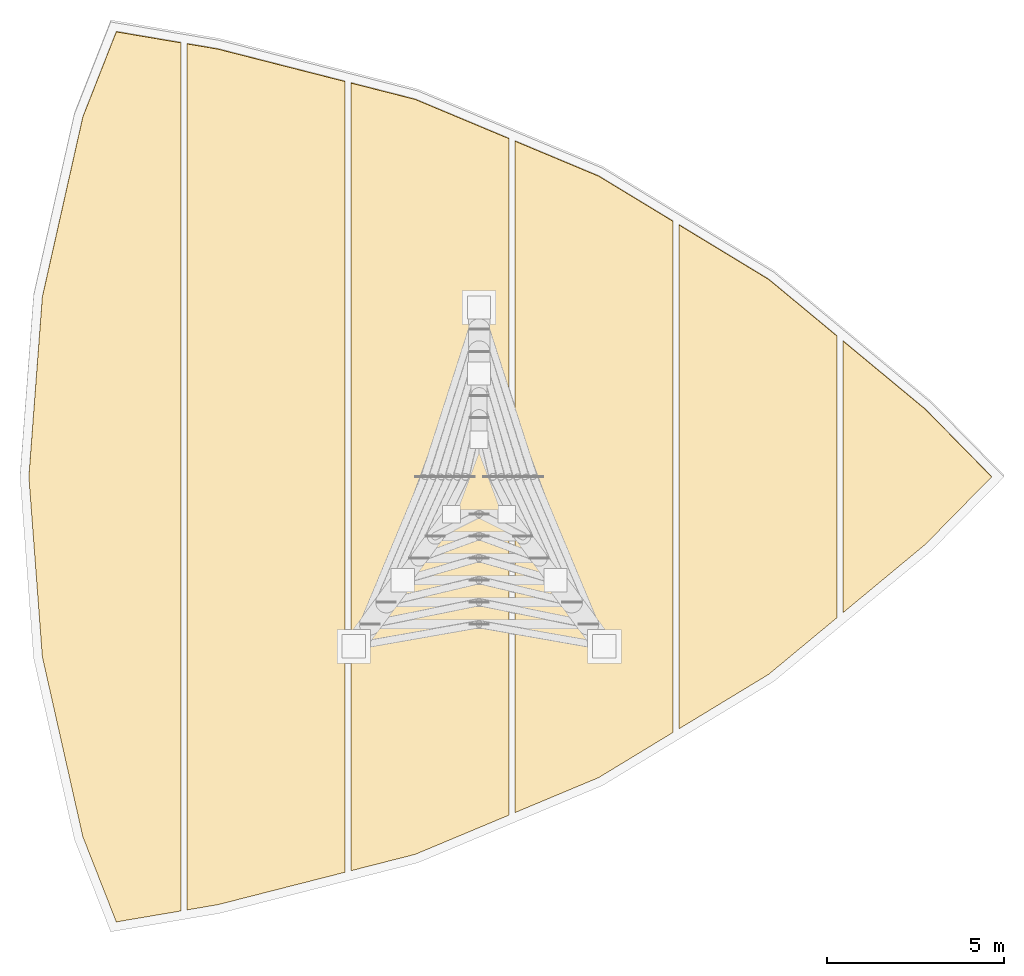
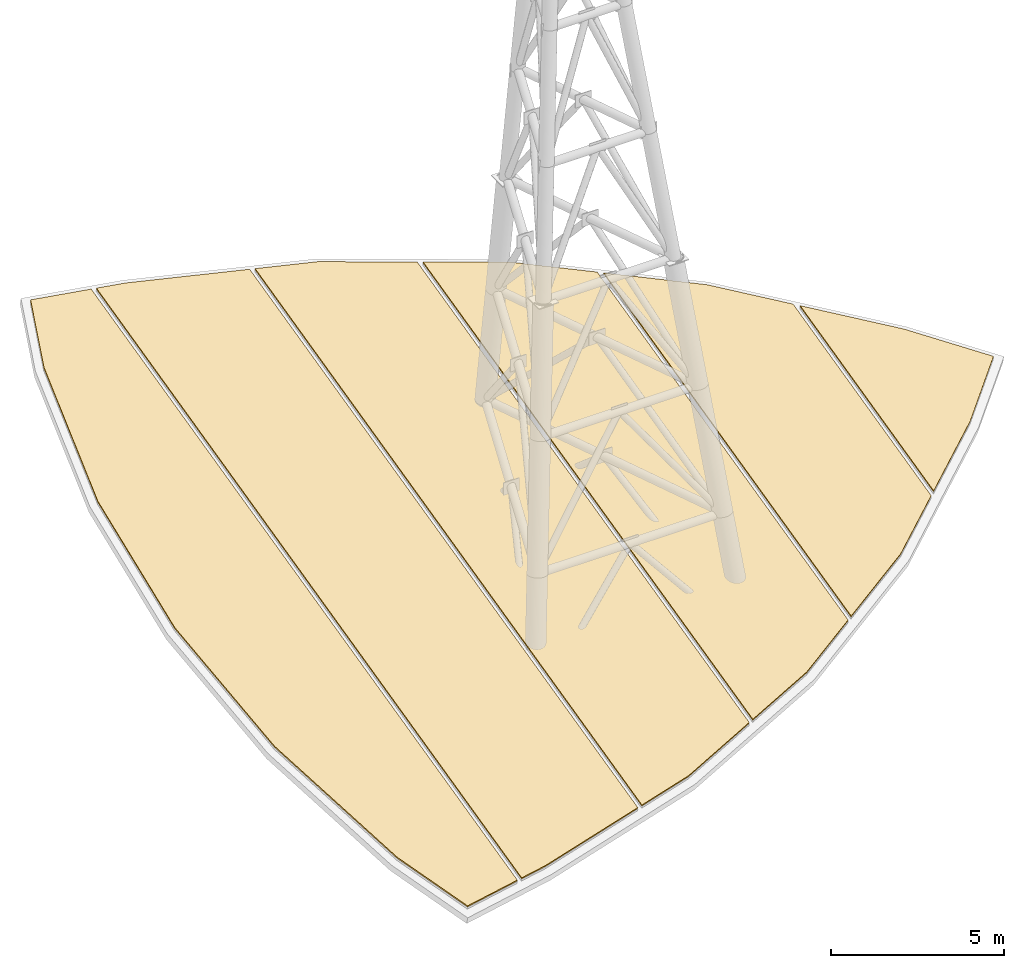
# One storey, part 3 of 3: 6 coverings.
"""IFC4 building model written with IfcOpenShell, lengths in metres."""

from ifc_helpers import new_model, si_unit, direction, frame, origin, place, context, subcontext, project, spatial, polyline, outline, extrude, material, layer, layer_set, type_object, element, save


model = new_model("IFC4")

# Units and contexts
model_context = context("Model", 3, precision=1e-05, world=origin(), true_north=direction((0.0, 1.0)))
body_context = subcontext(model_context, "Body", "Model", "MODEL_VIEW")
ifc_project = project(units=[si_unit("LENGTHUNIT", "METRE"), si_unit("AREAUNIT", "SQUARE_METRE"), si_unit("VOLUMEUNIT", "CUBIC_METRE"), si_unit("PLANEANGLEUNIT", "RADIAN"), si_unit("MASSUNIT", "GRAM", prefix="KILO")], contexts=[model_context])

# Site, building, storey
site_placement = place(None, origin())
site = spatial("IfcSite", under=ifc_project, at=site_placement, CompositionType="ELEMENT")
building_placement = place(site_placement, origin())
building = spatial("IfcBuilding", under=site, at=building_placement, Name="Menara Vayukalpa", CompositionType="ELEMENT")
storey_placement = place(building_placement, frame((0.0, 0.0, 318.419921875)))
storey = spatial("IfcBuildingStorey", under=building, at=storey_placement, Name="RF", CompositionType="ELEMENT", Elevation=318.419921875)

# Coverings
ifc_material = material(Name="Standing Seam Anodised Aluminium Roofing", Category="aluminium")
ifc_layer = layer(ifc_material, 0.050048828125)
ifc_layer_set = layer_set([ifc_layer], Name="Standing Seam Anodised Aluminium Roofing")
covering_type = type_object("IfcCoveringType", Name="COV-RFG1", PredefinedType="ROOFING", material=ifc_layer_set)
covering_1_placement = place(storey_placement, frame((15.323974609375, 9.394287109375, 0.197265625), z_axis=(2.0892933e-05, -0.233451879842, 0.9723683558), x_axis=(-0.356754875031, 0.908382862463, 0.218097533973)))
element("IfcCovering", 1, at=covering_1_placement, inside=storey, type_object=covering_type, Name="Crown Standing Seam Roof Covering RFG-01", PredefinedType="ROOFING", context=body_context, shape_type="SweptSolid", body=[
    extrude(outline(polyline([(0.0, 0.0), (2.6572812711350493, 8.326672684688674e-17), (7.962546495584697, -0.7984931364547834), (12.994522869483427, -2.3111296223976447), (17.753881382335386, -4.537643020688431), (22.240891383743804, -7.478658868308421), (24.221766805393468, -9.249894683418322), (23.266317601196185, -10.852370192891188), (-0.35590367628841624, -1.831432091904245), (0.0, 0.0)])), origin(), (0.0, 0.0, -1.0), 0.050048828125),
])
covering_2_placement = place(storey_placement, frame((18.201171875, 9.8828125, 0.314697265625), z_axis=(0.0, -0.233446689988, 0.972369602021), x_axis=(-0.985066125665, -0.167419140889, -0.04019402108)))
element("IfcCovering", 2, at=covering_2_placement, inside=storey, type_object=covering_type, Name="Crown Standing Seam Roof Covering RFG-02", PredefinedType="ROOFING", context=body_context, shape_type="SweptSolid", body=[
    extrude(outline(polyline([(0.0, 0.0), (0.89247855318454, 2.949029909160572e-17), (-3.4515877036929665, -24.85353050390243), (-4.291151688848897, -24.550792526893495), (-7.680655703355882, -22.99822483950119), (-3.7151892189912314, -0.3107618950015808), (0.0, 0.0)])), origin(), (0.0, 0.0, -1.0), 0.050048828125),
])
covering_3_placement = place(storey_placement, frame((23.790283203125, 11.30810546875, 0.656982421875), z_axis=(-1.997608e-06, -0.233445207342, 0.972369957971), x_axis=(-0.9672874786, -0.246673026392, -0.059222899248)))
element("IfcCovering", 3, at=covering_3_placement, inside=storey, type_object=covering_type, Name="Crown Standing Seam Roof Covering RFG-03", PredefinedType="ROOFING", context=body_context, shape_type="SweptSolid", body=[
    extrude(outline(polyline([(0.0, 0.0), (1.884649690626956, 5.204170427930421e-17), (-3.9367506995798784, -22.196889129915704), (-5.57884183617578, -21.272017971379057), (-7.8637555563008394, -19.488572946226277), (-2.8660665680375335, -0.4324797460590387), (0.0, 0.0)])), origin(), (0.0, 0.0, -1.0), 0.050048828125),
])
covering_4_placement = place(storey_placement, frame((28.988037109375, 13.482421875, 1.178955078125), z_axis=(-3.55072e-06, -0.233450985705, 0.972368570687), x_axis=(-0.918587443102, -0.384296605776, -0.092267156481)))
element("IfcCovering", 4, at=covering_4_placement, inside=storey, type_object=covering_type, Name="Crown Standing Seam Roof Covering RFG-04", PredefinedType="ROOFING", context=body_context, shape_type="SweptSolid", body=[
    extrude(outline(polyline([(0.0, 0.0), (2.5857572506060342, 7.632783294297951e-17), (-5.145906819694753, -17.970368567561696), (-6.923910979007088, -16.092943394998667), (-8.341256000022348, -14.048116257345928), (-2.4592688154828344, -0.3768707575310635), (0.0, 0.0)])), origin(), (0.0, 0.0, -1.0), 0.050048828125),
])
covering_5_placement = place(storey_placement, frame((33.80322265625, 16.4072265625, 1.881103515625), z_axis=(0.0, -0.23343962514, 0.972371298124), x_axis=(-0.848112253028, -0.515178433662, -0.123680183348)))
element("IfcCovering", 5, at=covering_5_placement, inside=storey, type_object=covering_type, Name="Crown Standing Seam Roof Covering RFG-05", PredefinedType="ROOFING", context=body_context, shape_type="SweptSolid", body=[
    extrude(outline(polyline([(0.0, 0.0), (3.0006899038580874, -1.1102230246251565e-16), (-4.7786023067323224, -12.452824842327823), (-6.094671253248144, -9.75614124443715), (-6.863489100492121, -7.3243829632840125), (-2.5225865409728154, -0.3756146476117819), (0.0, 0.0)])), origin(), (0.0, 0.0, -1.0), 0.050048828125),
])
covering_6_placement = place(storey_placement, frame((35.903564453125, 18.149169921875, 2.29931640625), z_axis=(-1.3302538e-05, -0.2334485639, 0.972369152039), x_axis=(-2.53e-10, 0.972369152125, 0.23344856392)))
element("IfcCovering", 6, at=covering_6_placement, inside=storey, type_object=covering_type, Name="Crown Standing Seam Roof Covering RFG-06", PredefinedType="ROOFING", context=body_context, shape_type="SweptSolid", body=[
    extrude(outline(polyline([(0.0, 0.0), (7.92047442565714, 0.0), (5.926691124320387, -2.337646485220991), (3.960265708901664, -4.215087891831038), (1.9937833001543046, -2.3376464831153454), (0.0, 0.0)])), origin(), (0.0, 0.0, -1.0), 0.050048828125),
])

save(model, "model.ifc")
